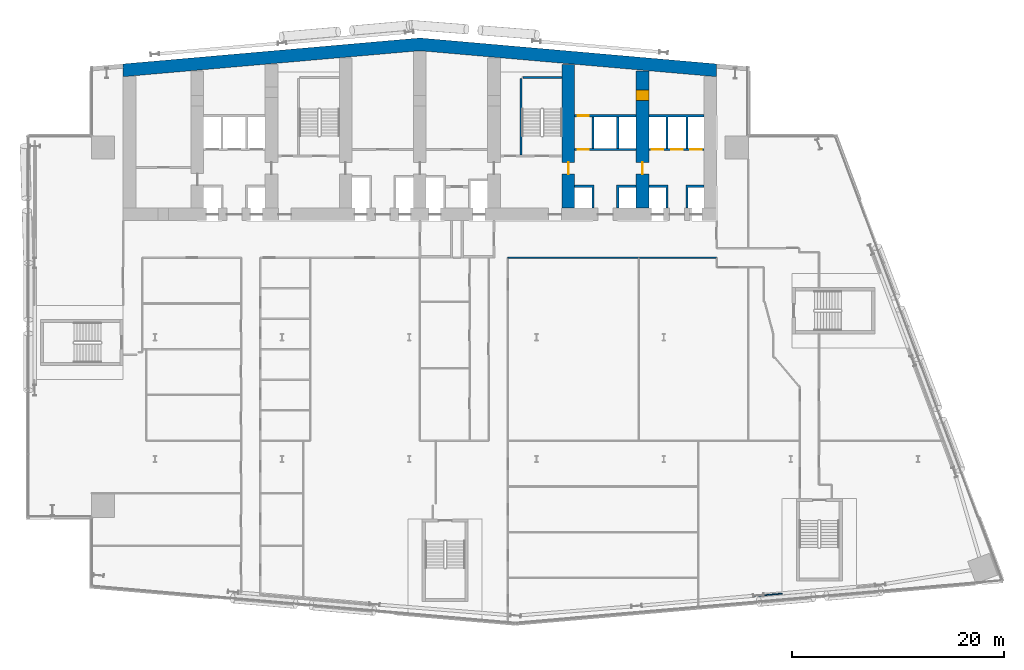
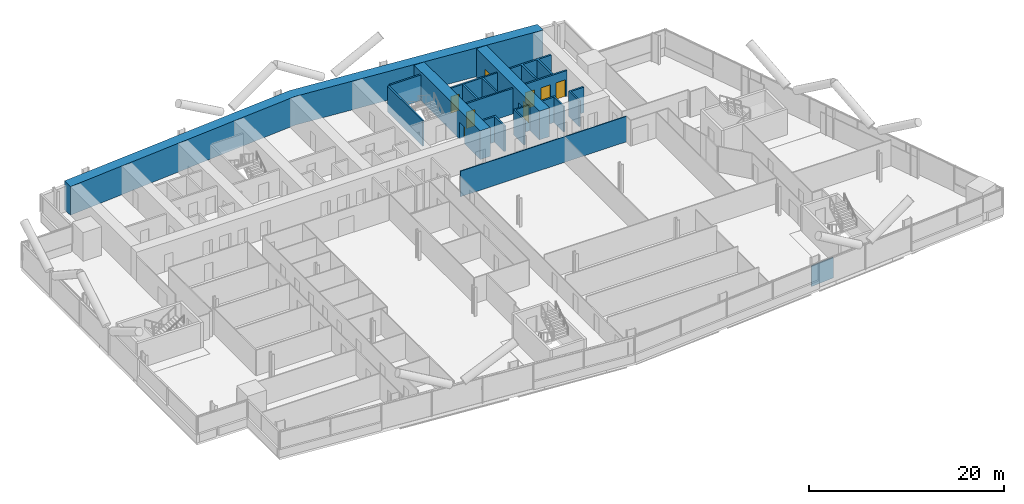
# One storey, part 17 of 27: 17 walls, 8 doors, 8 openings.
"""IFC4 building model written with IfcOpenShell, lengths in metres."""

import ifcopenshell
import ifcopenshell.guid

model = None  # the IFC model being written
_history = None  # IfcOwnerHistory: only IFC2X3 demands one
_inside = {}  # id of a spatial element -> (the spatial element, [elements in it])
_under = {}  # id of a project, library or spatial element -> (it, [spatial elements below it])
_declared = {}  # id of a project -> (the project, [libraries it declares])
_typed = {}  # id of a type object -> (the type object, [elements of that type])
_made_of = {}  # id of a material, layer set ... -> (it, [elements and type objects made of it])


def new_model(schema):
    """Start an empty IFC model of exactly this schema.

    Asked for "IFC4X3", IfcOpenShell would pick the latest addendum, in which some entities
    have other attributes; the version numbers below select the first issue.
    IFC2X3 requires an IfcOwnerHistory on every rooted entity: one is made here for all.
    """
    global model, _history
    if schema == "IFC4X3":
        model = ifcopenshell.file(schema_version=(4, 3, 0, 0))
    else:
        model = ifcopenshell.file(schema=schema)
    _inside.clear()
    _under.clear()
    _declared.clear()
    _typed.clear()
    _made_of.clear()
    _history = None
    if model.schema == "IFC2X3":
        org = make("IfcOrganization", Name="unknown")
        user = make(
            "IfcPersonAndOrganization",
            ThePerson=make("IfcPerson", FamilyName="unknown"),
            TheOrganization=org,
        )
        app = make(
            "IfcApplication",
            ApplicationDeveloper=org,
            Version="unknown",
            ApplicationFullName="unknown",
            ApplicationIdentifier="unknown",
        )
        _history = make(
            "IfcOwnerHistory",
            OwningUser=user,
            OwningApplication=app,
            ChangeAction="ADDED",
            CreationDate=0,
        )
    return model


def make(cls, **values):
    """One entity of the class cls with the attributes given. An attribute that is None is left unset."""
    return model.create_entity(
        cls, **{name: value for name, value in values.items() if value is not None}
    )


def rooted(cls, **values):
    """An entity with a GlobalId (a new one), such as an element, a storey or a relation."""
    return make(cls, GlobalId=ifcopenshell.guid.new(), OwnerHistory=_history, **values)


def si_unit(unit_type, name, prefix=None):
    """IfcSIUnit, for example si_unit("LENGTHUNIT", "METRE", prefix="MILLI")."""
    return make("IfcSIUnit", UnitType=unit_type, Prefix=prefix, Name=name)


def assignment(units):
    """IfcUnitAssignment: the units of a project."""
    return None if units is None else make("IfcUnitAssignment", Units=units)


def point(xyz):
    """IfcCartesianPoint."""
    return None if xyz is None else make("IfcCartesianPoint", Coordinates=xyz)


def direction(xyz):
    """IfcDirection."""
    return None if xyz is None else make("IfcDirection", DirectionRatios=xyz)


def frame(location, z_axis=None, x_axis=None):
    """IfcAxis2Placement3D, a coordinate frame: its origin and axes. An axis left out is left unset."""
    return make(
        "IfcAxis2Placement3D",
        Location=point(location),
        Axis=direction(z_axis),
        RefDirection=direction(x_axis),
    )


def frame_2d(location, x_axis=None):
    """IfcAxis2Placement2D, a coordinate frame in the plane: its origin and x axis."""
    return make(
        "IfcAxis2Placement2D", Location=point(location), RefDirection=direction(x_axis)
    )


def origin():
    """The frame at (0, 0, 0) with its axes left unset."""
    return frame((0.0, 0.0, 0.0))


def place(relative_to, where):
    """IfcLocalPlacement: puts the frame where relative to a parent placement (None: the world)."""
    return make(
        "IfcLocalPlacement", PlacementRelTo=relative_to, RelativePlacement=where
    )


def context(
    kind, dimensions, precision=None, world=None, true_north=None, identifier=None
):
    """IfcGeometricRepresentationContext, for example the 3D "Model" context."""
    return make(
        "IfcGeometricRepresentationContext",
        ContextIdentifier=identifier,
        ContextType=kind,
        CoordinateSpaceDimension=dimensions,
        Precision=precision,
        WorldCoordinateSystem=world,
        TrueNorth=true_north,
    )


def subcontext(parent, identifier, kind, view, scale=None):
    """IfcGeometricRepresentationSubContext, for example "Body" below "Model"."""
    return make(
        "IfcGeometricRepresentationSubContext",
        ContextIdentifier=identifier,
        ContextType=kind,
        ParentContext=parent,
        TargetScale=scale,
        TargetView=view,
    )


def project(units=None, contexts=None):
    """IfcProject with its units and contexts."""
    return rooted(
        "IfcProject",
        Name="project",
        RepresentationContexts=contexts,
        UnitsInContext=assignment(units),
    )


def spatial(cls, under=None, at=None, **own):
    """A site, building, storey or space (cls), placed at a placement, below another one or the project."""
    s = rooted(cls, ObjectPlacement=at, **own)
    if under is not None:
        _under.setdefault(under.id(), (under, []))[1].append(s)
    return s


def polyline(points):
    """IfcPolyline through the points."""
    return make("IfcPolyline", Points=[point(p) for p in points])


def profile(cls, at=None, kind="AREA", **sizes):
    """A parametric profile (cls). Its sizes go by their IFC names, for example OverallWidth=200.0."""
    return make(cls, ProfileType=kind, Position=at, **sizes)


def rectangle(**sizes):
    """IfcRectangleProfileDef."""
    return profile("IfcRectangleProfileDef", **sizes)


def outline(outer, holes=None, kind="AREA"):
    """IfcArbitraryClosedProfileDef: a profile drawn as a closed curve; with holes, ...WithVoids."""
    if holes is None:
        return make("IfcArbitraryClosedProfileDef", ProfileType=kind, OuterCurve=outer)
    return make(
        "IfcArbitraryProfileDefWithVoids",
        ProfileType=kind,
        OuterCurve=outer,
        InnerCurves=holes,
    )


def extrude(swept, where, along, depth):
    """IfcExtrudedAreaSolid: the profile swept, set in the frame where, extruded along a direction by depth."""
    return make(
        "IfcExtrudedAreaSolid",
        SweptArea=swept,
        Position=where,
        ExtrudedDirection=direction(along),
        Depth=depth,
    )


def shape(context_of_items, identifier, shape_type, items):
    """IfcShapeRepresentation: the items that make up one representation, for example the "Body"."""
    return make(
        "IfcShapeRepresentation",
        ContextOfItems=context_of_items,
        RepresentationIdentifier=identifier,
        RepresentationType=shape_type,
        Items=items,
    )


def material(Name=None, Category=None):
    """IfcMaterial."""
    return make("IfcMaterial", Name=Name, Category=Category)


def layer(
    of_material, thickness, ventilated=None, Name=None, Category=None, Priority=None
):
    """IfcMaterialLayer: one layer of a wall or slab, of a material (None: an air gap)."""
    return make(
        "IfcMaterialLayer",
        Material=of_material,
        LayerThickness=thickness,
        IsVentilated=ventilated,
        Name=Name,
        Category=Category,
        Priority=Priority,
    )


def layer_set(layers, Name=None):
    """IfcMaterialLayerSet."""
    return make("IfcMaterialLayerSet", MaterialLayers=layers, LayerSetName=Name)


def made_of(thing, what):
    """Note that an element or type object is made of a material, layer set ...; save() writes the relation."""
    if what is not None:
        _made_of.setdefault(what.id(), (what, []))[1].append(thing)
    return thing


def type_object(cls, material=None, **own):
    """A type object (cls), such as IfcWallType, which elements share."""
    return made_of(rooted(cls, **own), material)


def element(
    cls,
    number,
    at=None,
    inside=None,
    cuts=None,
    type_object=None,
    material=None,
    context=None,
    identifier="Body",
    shape_type=None,
    held_by="IfcProductDefinitionShape",
    body=None,
    shapes=None,
    **own,
):
    """One element of the class cls, such as IfcWall. Its Tag is "e" and its number.

    at: its placement. inside: the storey or other place that contains it. cuts: it is an
    opening in that element (IfcRelVoidsElement). A single representation is given by context,
    identifier, shape_type and body (its items); several are given by shapes. held_by: the class
    of the entity that holds the representations. save() writes the other relations.
    """
    e = rooted(cls, Tag="e%d" % number, ObjectPlacement=at, **own)
    if body is not None:
        shapes = [shape(context, identifier, shape_type, body)]
    if shapes is not None:
        e.Representation = make(held_by, Representations=shapes)
    if inside is not None:
        _inside.setdefault(inside.id(), (inside, []))[1].append(e)
    if cuts is not None:
        rooted(
            "IfcRelVoidsElement", RelatingBuildingElement=cuts, RelatedOpeningElement=e
        )
    if type_object is not None:
        _typed.setdefault(type_object.id(), (type_object, []))[1].append(e)
    return made_of(e, material)


def fill(opening, filler):
    """IfcRelFillsElement: the door or window that sits in an opening."""
    return rooted(
        "IfcRelFillsElement",
        RelatingOpeningElement=opening,
        RelatedBuildingElement=filler,
    )


def aggregate(whole, parts):
    """IfcRelAggregates: a whole, such as a stair, and the parts it consists of."""
    return rooted("IfcRelAggregates", RelatingObject=whole, RelatedObjects=parts)


def save(model, path):
    """Write the relations noted so far, then the file.

    IfcRelAggregates (storeys below a building ...), IfcRelContainedInSpatialStructure (elements
    in a storey), IfcRelDefinesByType, IfcRelAssociatesMaterial and IfcRelDeclares: one each for
    every whole, place, type object, material and project.
    """
    for whole, parts in _under.values():
        aggregate(whole, parts)
    for where, things in _inside.values():
        rooted(
            "IfcRelContainedInSpatialStructure",
            RelatedElements=things,
            RelatingStructure=where,
        )
    for kind, things in _typed.values():
        rooted("IfcRelDefinesByType", RelatedObjects=things, RelatingType=kind)
    for what, things in _made_of.values():
        rooted("IfcRelAssociatesMaterial", RelatedObjects=things, RelatingMaterial=what)
    for by, libraries in _declared.values():
        rooted("IfcRelDeclares", RelatingContext=by, RelatedDefinitions=libraries)
    model.write(path)


model = new_model("IFC4")

# Units and contexts
model_context = context("Model", 3, precision=1e-05, world=origin(), true_north=direction((0.0, 1.0)))
body_context = subcontext(model_context, "Body", "Model", "MODEL_VIEW")
ifc_project = project(units=[si_unit("LENGTHUNIT", "METRE"), si_unit("AREAUNIT", "SQUARE_METRE"), si_unit("VOLUMEUNIT", "CUBIC_METRE"), si_unit("PLANEANGLEUNIT", "RADIAN"), si_unit("MASSUNIT", "GRAM", prefix="KILO")], contexts=[model_context])

# Site, building, storey
site_placement = place(None, origin())
site = spatial("IfcSite", under=ifc_project, at=site_placement, CompositionType="ELEMENT")
building_placement = place(site_placement, origin())
building = spatial("IfcBuilding", under=site, at=building_placement, Name="Wharfspan Tower", CompositionType="ELEMENT")
storey_placement = place(building_placement, frame((0.0, 0.0, 77.5)))
storey = spatial("IfcBuildingStorey", under=building, at=storey_placement, Name="L16", CompositionType="ELEMENT", Elevation=77.5)

# Walls
ifc_material_1 = material(Name="Gypsum board on steel studs", Category="steel")
ifc_layer_1 = layer(ifc_material_1, 0.100098)
ifc_layer_set_1 = layer_set([ifc_layer_1], Name="Gypsum board on steel studs")
wall_type_1 = type_object("IfcWallType", Name="Compartment wall 100 EI 60", PredefinedType="PARTITIONING", material=ifc_layer_set_1)
wall_1_placement = place(storey_placement, frame((45.300049, 30.5, 0.0), z_axis=(0.0, 0.0, 1.0), x_axis=(1.0, 0.0, 0.0)))
element("IfcWall", 1, at=wall_1_placement, inside=storey, type_object=wall_type_1, Name="Partition L16.w045", PredefinedType="PARTITIONING", context=body_context, shape_type="SweptSolid", body=[
    extrude(rectangle(XDim=19.699951, YDim=0.100098, at=frame_2d((9.850098, 0.0))), origin(), (0.0, 0.0, 1.0), 3.199951),
])
ifc_material_2 = material(Name="Concrete C70/85", Category="concrete")
ifc_layer_2 = layer(ifc_material_2, 1.199951)
ifc_layer_set_2 = layer_set([ifc_layer_2], Name="Concrete C70/85")
wall_type_2 = type_object("IfcWallType", Name="Core wall 1200 C70/85", PredefinedType="SHEAR", material=ifc_layer_set_2)
wall_2_placement = place(storey_placement, origin())
element("IfcWall", 2, at=wall_2_placement, inside=storey, type_object=wall_type_2, Name="Core rear wall L16", PredefinedType="SHEAR", context=body_context, shape_type="SweptSolid", body=[
    extrude(outline(polyline([(9.0, 47.582764), (37.0, 50.032471), (65.0, 47.582764), (65.0, 48.787354), (37.0, 51.237061), (9.0, 48.787354), (9.0, 47.582764)])), origin(), (0.0, 0.0, 1.0), 3.600098),
])

# Wall, opening, door
wall_3_placement = place(storey_placement, frame((51.0, 35.199951, 0.0), z_axis=(0.0, 0.0, 1.0), x_axis=(0.0, 1.0, 0.0)))
wall_3 = element("IfcWall", 3, at=wall_3_placement, inside=storey, type_object=wall_type_2, Name="Core cross wall X6 L16", PredefinedType="SHEAR", context=body_context, shape_type="SweptSolid", body=[
    extrude(rectangle(XDim=13.555176, YDim=1.199951, at=frame_2d((6.777588, 0.0))), origin(), (0.0, 0.0, 1.0), 3.600098),
])
opening_1_placement = place(wall_3_placement, frame((3.199951, 0.0, 0.0)))
opening_1 = element("IfcOpeningElement", 4, at=opening_1_placement, cuts=wall_3, Name="Opening CC16.6", PredefinedType="OPENING", context=body_context, shape_type="SweptSolid", body=[
    extrude(rectangle(XDim=1.100098, YDim=2.100098, at=frame_2d((0.550049, 1.050049))), frame((0.0, 0.609863, 0.0), z_axis=(0.0, -1.0, 0.0), x_axis=(1.0, 0.0, 0.0)), (0.0, 0.0, 1.0), 1.219971),
])
ifc_material_3 = material(Name="Steel door leaf", Category="steel")
door_type_1 = type_object("IfcDoorType", Name="Core corridor door 1100x2100", OperationType="SINGLE_SWING_LEFT", PredefinedType="DOOR", material=ifc_material_3)
door_1_placement = place(opening_1_placement, origin())
door_1 = element("IfcDoor", 5, at=door_1_placement, inside=storey, type_object=door_type_1, Name="xd:L16:6", OperationType="SINGLE_SWING_RIGHT", OverallHeight=2.100098, OverallWidth=1.100098, PredefinedType="DOOR", context=body_context, shape_type="SweptSolid", body=[
    extrude(rectangle(XDim=1.100098, YDim=2.100098, at=frame_2d((0.550049, 1.050049))), frame((0.0, 0.024902, 0.0), z_axis=(0.0, -1.0, 0.0), x_axis=(1.0, 0.0, 0.0)), (0.0, 0.0, 1.0), 0.050049),
])
fill(opening_1, door_1)

# Wall, openings, doors
wall_4_placement = place(storey_placement, frame((58.0, 35.199951, 0.0), z_axis=(0.0, 0.0, 1.0), x_axis=(0.0, 1.0, 0.0)))
wall_4 = element("IfcWall", 6, at=wall_4_placement, inside=storey, type_object=wall_type_2, Name="Core cross wall X7 L16", PredefinedType="SHEAR", context=body_context, shape_type="SweptSolid", body=[
    extrude(rectangle(XDim=12.942871, YDim=1.199951, at=frame_2d((6.471436, 0.0))), origin(), (0.0, 0.0, 1.0), 3.600098),
])
opening_2_placement = place(wall_4_placement, frame((10.133789, 0.0, 0.0)))
opening_2 = element("IfcOpeningElement", 7, at=opening_2_placement, cuts=wall_4, Name="Opening CD16.7X", PredefinedType="OPENING", context=body_context, shape_type="SweptSolid", body=[
    extrude(rectangle(XDim=1.0, YDim=2.100098, at=frame_2d((0.5, 1.050049))), frame((0.0, 0.609863, 0.0), z_axis=(0.0, -1.0, 0.0), x_axis=(1.0, 0.0, 0.0)), (0.0, 0.0, 1.0), 1.219971),
])
opening_3_placement = place(wall_4_placement, frame((3.199951, 0.0, 0.0)))
opening_3 = element("IfcOpeningElement", 8, at=opening_3_placement, cuts=wall_4, Name="Opening CC16.7", PredefinedType="OPENING", context=body_context, shape_type="SweptSolid", body=[
    extrude(rectangle(XDim=1.100098, YDim=2.100098, at=frame_2d((0.550049, 1.050049))), frame((0.0, 0.609863, 0.0), z_axis=(0.0, -1.0, 0.0), x_axis=(1.0, 0.0, 0.0)), (0.0, 0.0, 1.0), 1.219971),
])
door_2_placement = place(opening_3_placement, origin())
door_2 = element("IfcDoor", 9, at=door_2_placement, inside=storey, type_object=door_type_1, Name="xd:L16:7", OperationType="SINGLE_SWING_LEFT", OverallHeight=2.100098, OverallWidth=1.100098, PredefinedType="DOOR", context=body_context, shape_type="SweptSolid", body=[
    extrude(rectangle(XDim=1.100098, YDim=2.100098, at=frame_2d((0.550049, 1.050049))), frame((0.0, 0.024902, 0.0), z_axis=(0.0, -1.0, 0.0), x_axis=(1.0, 0.0, 0.0)), (0.0, 0.0, 1.0), 0.050049),
])
fill(opening_3, door_2)
door_type_2 = type_object("IfcDoorType", Name="Core room door 1000x2100", OperationType="SINGLE_SWING_LEFT", PredefinedType="DOOR", material=ifc_material_3)
door_3_placement = place(opening_2_placement, origin())
door_3 = element("IfcDoor", 10, at=door_3_placement, inside=storey, type_object=door_type_2, Name="d:L16:7:sx", OperationType="SINGLE_SWING_LEFT", OverallHeight=2.100098, OverallWidth=1.0, PredefinedType="DOOR", context=body_context, shape_type="SweptSolid", body=[
    extrude(rectangle(XDim=1.0, YDim=2.100098, at=frame_2d((0.5, 1.050049))), frame((0.0, 0.599609, 0.0), z_axis=(0.0, -1.0, 0.0), x_axis=(1.0, 0.0, 0.0)), (0.0, 0.0, 1.0), 1.199463),
])
fill(opening_2, door_3)

# Wall, opening, door
ifc_material_4 = material(Name="Concrete C30/37", Category="concrete")
ifc_layer_3 = layer(ifc_material_4, 0.199951)
ifc_layer_set_3 = layer_set([ifc_layer_3], Name="Concrete C30/37")
wall_type_3 = type_object("IfcWallType", Name="Lift shaft wall 200", PredefinedType="PARTITIONING", material=ifc_layer_set_3)
wall_5_placement = place(storey_placement, frame((51.600098, 40.699951, 0.0), z_axis=(0.0, 0.0, 1.0), x_axis=(1.0, 0.0, 0.0)))
wall_5 = element("IfcWall", 11, at=wall_5_placement, inside=storey, type_object=wall_type_3, Name="sw:L16:RF6", PredefinedType="PARTITIONING", context=body_context, shape_type="SweptSolid", body=[
    extrude(rectangle(XDim=5.799805, YDim=0.199951, at=frame_2d((2.899902, 0.0))), origin(), (0.0, 0.0, 1.0), 3.199951),
])
opening_4_placement = place(wall_5_placement, frame((0.31665, 0.0, 0.0)))
opening_4 = element("IfcOpeningElement", 12, at=opening_4_placement, cuts=wall_5, Name="Opening CD16.6R1", PredefinedType="OPENING", context=body_context, shape_type="SweptSolid", body=[
    extrude(rectangle(XDim=1.0, YDim=2.100098, at=frame_2d((0.5, 1.050049))), frame((0.0, 0.109863, 0.0), z_axis=(0.0, -1.0, 0.0), x_axis=(1.0, 0.0, 0.0)), (0.0, 0.0, 1.0), 0.219971),
])
door_4_placement = place(opening_4_placement, origin())
door_4 = element("IfcDoor", 13, at=door_4_placement, inside=storey, type_object=door_type_2, Name="d:L16:6:rd6.1", OperationType="SINGLE_SWING_RIGHT", OverallHeight=2.100098, OverallWidth=1.0, PredefinedType="DOOR", context=body_context, shape_type="SweptSolid", body=[
    extrude(rectangle(XDim=1.0, YDim=2.100098, at=frame_2d((0.5, 1.050049))), frame((0.0, 0.024902, 0.0), z_axis=(0.0, -1.0, 0.0), x_axis=(1.0, 0.0, 0.0)), (0.0, 0.0, 1.0), 0.050049),
])
fill(opening_4, door_4)

wall_6_placement = place(storey_placement, frame((51.600098, 43.899902, 0.0), z_axis=(0.0, 0.0, 1.0), x_axis=(1.0, 0.0, 0.0)))
wall_6 = element("IfcWall", 14, at=wall_6_placement, inside=storey, type_object=wall_type_3, Name="sw:L16:RR6", PredefinedType="PARTITIONING", context=body_context, shape_type="SweptSolid", body=[
    extrude(rectangle(XDim=5.799805, YDim=0.199951, at=frame_2d((2.899902, 0.0))), origin(), (0.0, 0.0, 1.0), 3.199951),
])
opening_5_placement = place(wall_6_placement, frame((0.31665, 0.0, 0.0)))
opening_5 = element("IfcOpeningElement", 15, at=opening_5_placement, cuts=wall_6, Name="Opening CD16.6S1", PredefinedType="OPENING", context=body_context, shape_type="SweptSolid", body=[
    extrude(rectangle(XDim=1.0, YDim=2.100098, at=frame_2d((0.5, 1.050049))), frame((0.0, 0.109863, 0.0), z_axis=(0.0, -1.0, 0.0), x_axis=(1.0, 0.0, 0.0)), (0.0, 0.0, 1.0), 0.219971),
])
door_5_placement = place(opening_5_placement, origin())
door_5 = element("IfcDoor", 16, at=door_5_placement, inside=storey, type_object=door_type_2, Name="d:L16:6:rs6.1", OperationType="SINGLE_SWING_LEFT", OverallHeight=2.100098, OverallWidth=1.0, PredefinedType="DOOR", context=body_context, shape_type="SweptSolid", body=[
    extrude(rectangle(XDim=1.0, YDim=2.100098, at=frame_2d((0.5, 1.050049))), frame((0.0, 0.024902, 0.0), z_axis=(0.0, -1.0, 0.0), x_axis=(1.0, 0.0, 0.0)), (0.0, 0.0, 1.0), 0.050049),
])
fill(opening_5, door_5)

# Walls
wall_7_placement = place(storey_placement, frame((0.0, 0.0, -0.000244)))
element("IfcWall", 17, at=wall_7_placement, inside=storey, type_object=wall_type_3, Name="sw:L16:FM6.0", PredefinedType="PARTITIONING", context=body_context, shape_type="SweptSolid", body=[
    extrude(outline(polyline([(53.233398, 37.149902), (51.600098, 37.149902), (51.600098, 37.350098), (53.233398, 37.350098), (53.43335, 37.350098), (53.43335, 35.199951), (53.233398, 35.199951), (53.233398, 37.149902)])), origin(), (0.0, 0.0, 1.0), 3.200195),
])
wall_8_placement = place(storey_placement, frame((0.0, 0.0, -0.000244)))
element("IfcWall", 18, at=wall_8_placement, inside=storey, type_object=wall_type_3, Name="sw:L16:FM6.1", PredefinedType="PARTITIONING", context=body_context, shape_type="SweptSolid", body=[
    extrude(outline(polyline([(55.56665, 37.350098), (55.766602, 37.350098), (57.399902, 37.350098), (57.399902, 37.149902), (55.766602, 37.149902), (55.766602, 35.199951), (55.56665, 35.199951), (55.56665, 37.350098)])), origin(), (0.0, 0.0, 1.0), 3.200195),
])
wall_9_placement = place(storey_placement, frame((0.0, 0.0, -0.000244)))
element("IfcWall", 19, at=wall_9_placement, inside=storey, type_object=wall_type_3, Name="sw:L16:RM6.0", PredefinedType="PARTITIONING", context=body_context, shape_type="SweptSolid", body=[
    extrude(outline(polyline([(53.233398, 40.800049), (53.233398, 43.800049), (53.43335, 43.800049), (53.43335, 40.800049), (53.233398, 40.800049)])), origin(), (0.0, 0.0, 1.0), 3.200195),
])
wall_10_placement = place(storey_placement, frame((0.0, 0.0, -0.000244)))
element("IfcWall", 20, at=wall_10_placement, inside=storey, type_object=wall_type_3, Name="sw:L16:RM6.1", PredefinedType="PARTITIONING", context=body_context, shape_type="SweptSolid", body=[
    extrude(outline(polyline([(55.56665, 40.800049), (55.56665, 43.800049), (55.766602, 43.800049), (55.766602, 40.800049), (55.56665, 40.800049)])), origin(), (0.0, 0.0, 1.0), 3.200195),
])

# Wall, openings, doors
wall_11_placement = place(storey_placement, frame((58.600098, 40.699951, 0.0), z_axis=(0.0, 0.0, 1.0), x_axis=(1.0, 0.0, 0.0)))
wall_11 = element("IfcWall", 21, at=wall_11_placement, inside=storey, type_object=wall_type_3, Name="sw:L16:RF7", PredefinedType="PARTITIONING", context=body_context, shape_type="SweptSolid", body=[
    extrude(rectangle(XDim=5.199951, YDim=0.199951, at=frame_2d((2.600098, 0.0))), origin(), (0.0, 0.0, 1.0), 3.199951),
])
opening_6_placement = place(wall_11_placement, frame((0.266602, 0.0, 0.0)))
opening_6 = element("IfcOpeningElement", 22, at=opening_6_placement, cuts=wall_11, Name="Opening LD.LA8.L16", PredefinedType="OPENING", context=body_context, shape_type="SweptSolid", body=[
    extrude(rectangle(XDim=1.100098, YDim=2.100098, at=frame_2d((0.550049, 1.050049))), frame((0.0, 0.109863, 0.0), z_axis=(0.0, -1.0, 0.0), x_axis=(1.0, 0.0, 0.0)), (0.0, 0.0, 1.0), 0.219971),
])
opening_7_placement = place(wall_11_placement, frame((2.116699, 0.0, 0.0)))
opening_7 = element("IfcOpeningElement", 23, at=opening_7_placement, cuts=wall_11, Name="Opening LD.LA9.L16", PredefinedType="OPENING", context=body_context, shape_type="SweptSolid", body=[
    extrude(rectangle(XDim=1.100098, YDim=2.100098, at=frame_2d((0.550049, 1.050049))), frame((0.0, 0.109863, 0.0), z_axis=(0.0, -1.0, 0.0), x_axis=(1.0, 0.0, 0.0)), (0.0, 0.0, 1.0), 0.219971),
])
opening_8_placement = place(wall_11_placement, frame((3.899902, 0.0, 0.0)))
opening_8 = element("IfcOpeningElement", 24, at=opening_8_placement, cuts=wall_11, Name="Opening LD.LA10.L16", PredefinedType="OPENING", context=body_context, shape_type="SweptSolid", body=[
    extrude(rectangle(XDim=1.100098, YDim=2.100098, at=frame_2d((0.550049, 1.050049))), frame((0.0, 0.109863, 0.0), z_axis=(0.0, -1.0, 0.0), x_axis=(1.0, 0.0, 0.0)), (0.0, 0.0, 1.0), 0.219971),
])
ifc_material_5 = material(Name="Stainless steel", Category="steel")
door_type_3 = type_object("IfcDoorType", Name="Lift landing door 1100x2100", OperationType="DOUBLE_DOOR_SLIDING", PredefinedType="DOOR", material=ifc_material_5)
door_6_placement = place(opening_6_placement, origin())
door_6 = element("IfcDoor", 25, at=door_6_placement, inside=storey, type_object=door_type_3, Name="Landing door LA8 L16", OperationType="DOUBLE_DOOR_SLIDING", OverallHeight=2.100098, OverallWidth=1.100098, PredefinedType="DOOR", context=body_context, shape_type="SweptSolid", body=[
    extrude(rectangle(XDim=1.100098, YDim=2.100098, at=frame_2d((0.550049, 1.050049))), frame((0.0, 0.024902, 0.0), z_axis=(0.0, -1.0, 0.0), x_axis=(1.0, 0.0, 0.0)), (0.0, 0.0, 1.0), 0.050049),
])
fill(opening_6, door_6)
door_7_placement = place(opening_7_placement, origin())
door_7 = element("IfcDoor", 26, at=door_7_placement, inside=storey, type_object=door_type_3, Name="Landing door LA9 L16", OperationType="DOUBLE_DOOR_SLIDING", OverallHeight=2.100098, OverallWidth=1.100098, PredefinedType="DOOR", context=body_context, shape_type="SweptSolid", body=[
    extrude(rectangle(XDim=1.100098, YDim=2.100098, at=frame_2d((0.550049, 1.050049))), frame((0.0, 0.024902, 0.0), z_axis=(0.0, -1.0, 0.0), x_axis=(1.0, 0.0, 0.0)), (0.0, 0.0, 1.0), 0.050049),
])
fill(opening_7, door_7)
door_8_placement = place(opening_8_placement, origin())
door_8 = element("IfcDoor", 27, at=door_8_placement, inside=storey, type_object=door_type_3, Name="Landing door LA10 L16", OperationType="DOUBLE_DOOR_SLIDING", OverallHeight=2.100098, OverallWidth=1.100098, PredefinedType="DOOR", context=body_context, shape_type="SweptSolid", body=[
    extrude(rectangle(XDim=1.100098, YDim=2.100098, at=frame_2d((0.550049, 1.050049))), frame((0.0, 0.024902, 0.0), z_axis=(0.0, -1.0, 0.0), x_axis=(1.0, 0.0, 0.0)), (0.0, 0.0, 1.0), 0.050049),
])
fill(opening_8, door_8)

# Walls
wall_12_placement = place(storey_placement, frame((0.0, 0.0, -0.000244)))
element("IfcWall", 28, at=wall_12_placement, inside=storey, type_object=wall_type_3, Name="sw:L16:FM7.0", PredefinedType="PARTITIONING", context=body_context, shape_type="SweptSolid", body=[
    extrude(outline(polyline([(60.233398, 37.149902), (58.600098, 37.149902), (58.600098, 37.350098), (60.233398, 37.350098), (60.43335, 37.350098), (60.43335, 35.199951), (60.233398, 35.199951), (60.233398, 37.149902)])), origin(), (0.0, 0.0, 1.0), 3.200195),
])
wall_13_placement = place(storey_placement, frame((0.0, 0.0, -0.000244)))
element("IfcWall", 29, at=wall_13_placement, inside=storey, type_object=wall_type_3, Name="sw:L16:FM7.1", PredefinedType="PARTITIONING", context=body_context, shape_type="SweptSolid", body=[
    extrude(outline(polyline([(62.100098, 37.350098), (62.300049, 37.350098), (63.800049, 37.350098), (63.800049, 37.149902), (62.300049, 37.149902), (62.300049, 35.199951), (62.100098, 35.199951), (62.100098, 37.350098)])), origin(), (0.0, 0.0, 1.0), 3.200195),
])
wall_14_placement = place(storey_placement, frame((0.0, 0.0, -0.000244)))
element("IfcWall", 30, at=wall_14_placement, inside=storey, type_object=wall_type_3, Name="sw:L16:RM7.0", PredefinedType="PARTITIONING", context=body_context, shape_type="SweptSolid", body=[
    extrude(outline(polyline([(60.43335, 40.800049), (60.233398, 40.800049), (60.233398, 43.800049), (58.600098, 43.800049), (58.600098, 44.0), (63.800049, 44.0), (63.800049, 43.800049), (62.300049, 43.800049), (62.300049, 40.800049), (62.100098, 40.800049), (62.100098, 43.800049), (60.43335, 43.800049), (60.43335, 40.800049)])), origin(), (0.0, 0.0, 1.0), 3.200195),
])
ifc_layer_4 = layer(ifc_material_1, 0.100098)
ifc_layer_set_4 = layer_set([ifc_layer_4], Name="Gypsum board on steel studs")
wall_type_4 = type_object("IfcWallType", Name="Partition 100", PredefinedType="PARTITIONING", material=ifc_layer_set_4)
wall_15_placement = place(storey_placement, frame((68.445068, -1.429932, 0.0), z_axis=(0.0, 0.0, 1.0), x_axis=(0.996195, 0.087118, 0.0)))
element("IfcWall", 31, at=wall_15_placement, inside=storey, type_object=wall_type_4, Name="Partition L16.w054", PredefinedType="PARTITIONING", context=body_context, shape_type="SweptSolid", body=[
    extrude(rectangle(XDim=2.738037, YDim=0.100098, at=frame_2d((1.369141, 0.0))), origin(), (0.0, 0.0, 1.0), 2.580078),
])
ifc_material_6 = material(Name="Concrete C40/50", Category="concrete")
ifc_layer_5 = layer(ifc_material_6, 0.199951)
ifc_layer_set_5 = layer_set([ifc_layer_5], Name="Concrete C40/50")
wall_type_5 = type_object("IfcWallType", Name="Stair shaft wall 200", PredefinedType="SHEAR", material=ifc_layer_set_5)
wall_16_placement = place(storey_placement, frame((46.550049, 40.199951, 0.0), z_axis=(0.0, 0.0, 1.0), x_axis=(0.0, 1.0, 0.0)))
element("IfcWall", 32, at=wall_16_placement, inside=storey, type_object=wall_type_5, Name="ST2 stair enclosure wall L16", PredefinedType="SHEAR", context=body_context, shape_type="SweptSolid", body=[
    extrude(rectangle(XDim=7.199951, YDim=0.199951, at=frame_2d((3.600098, 0.0))), origin(), (0.0, 0.0, 1.0), 3.199951),
])
wall_17_placement = place(storey_placement, frame((46.75, 47.5, 0.0), z_axis=(0.0, 0.0, 1.0), x_axis=(1.0, 0.0, 0.0)))
element("IfcWall", 33, at=wall_17_placement, inside=storey, type_object=wall_type_5, Name="ST2 stair enclosure wall L16", PredefinedType="SHEAR", context=body_context, shape_type="SweptSolid", body=[
    extrude(rectangle(XDim=3.649902, YDim=0.199951, at=frame_2d((1.824951, 0.0))), origin(), (0.0, 0.0, 1.0), 3.199951),
])

save(model, "model.ifc")
